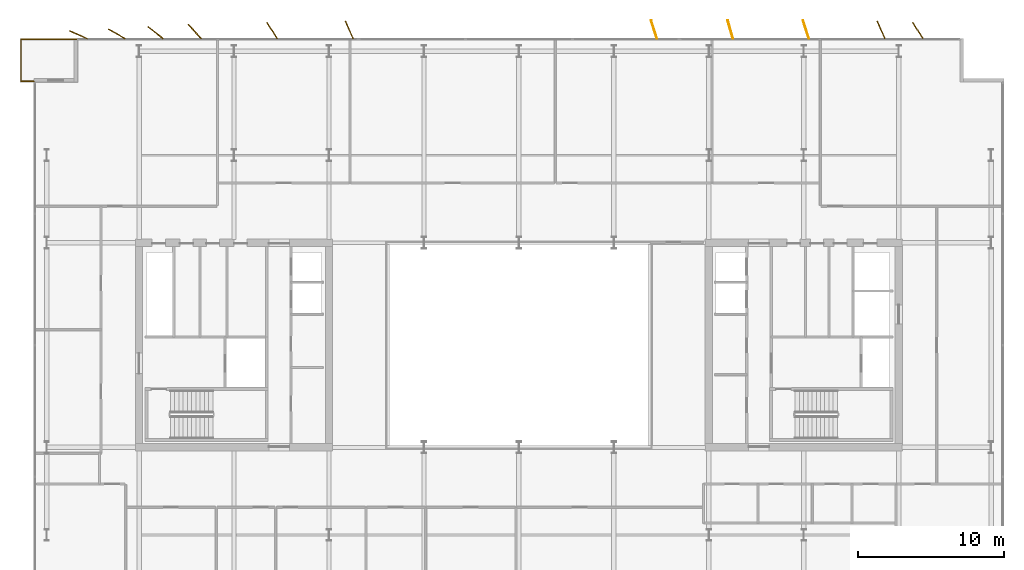
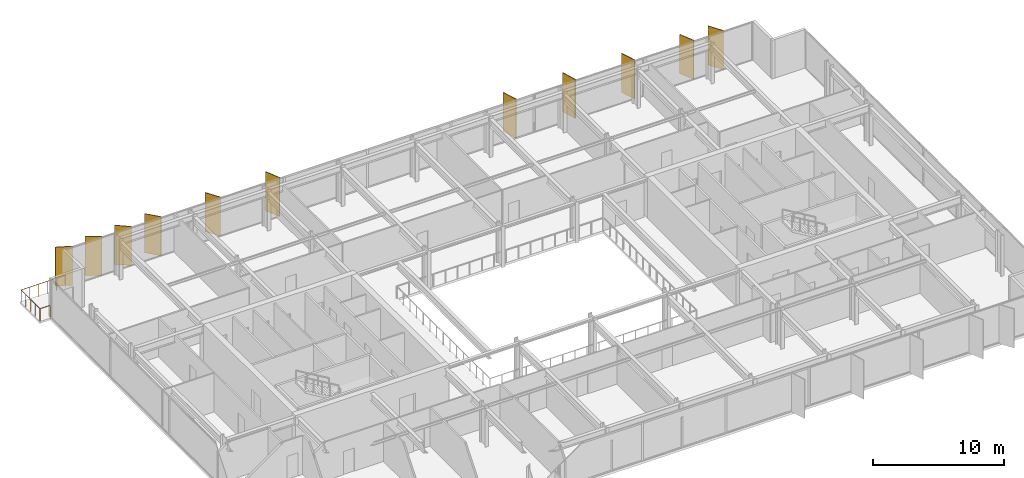
# One storey, part 23 of 23: 11 shading devices, 1 railing.
"""IFC4 building model written with IfcOpenShell, lengths in metres."""

from ifc_helpers import new_model, si_unit, direction, frame, origin, origin_2d, place, context, subcontext, project, spatial, rectangle, circle, extrude, material, layer, layer_set, type_object, element, save


model = new_model("IFC4")

# Units and contexts
model_context = context("Model", 3, precision=1e-05, world=origin(), true_north=direction((0.0, 1.0)))
body_context = subcontext(model_context, "Body", "Model", "MODEL_VIEW")
ifc_project = project(units=[si_unit("LENGTHUNIT", "METRE"), si_unit("AREAUNIT", "SQUARE_METRE"), si_unit("VOLUMEUNIT", "CUBIC_METRE"), si_unit("PLANEANGLEUNIT", "RADIAN"), si_unit("MASSUNIT", "GRAM", prefix="KILO")], contexts=[model_context])

# Site, building, storey
site_placement = place(None, origin())
site = spatial("IfcSite", under=ifc_project, at=site_placement, CompositionType="ELEMENT")
building_placement = place(site_placement, origin())
building = spatial("IfcBuilding", under=site, at=building_placement, Name="Putna Gate Headquarters", CompositionType="ELEMENT")
storey_placement = place(building_placement, frame((0.0, 0.0, 217.60009765625)))
storey = spatial("IfcBuildingStorey", under=building, at=storey_placement, Name="L54", CompositionType="ELEMENT", Elevation=217.60009765625)

# Railing
ifc_material_1 = material(Name="Anodised bronze steel and laminated glass guardrail", Category="steel")
railing_type = type_object("IfcRailingType", Name="RAIL-TERR-GUARD-1150", PredefinedType="GUARDRAIL", material=ifc_material_1)
railing_placement = place(storey_placement, frame((5.800048828125, 44.06005859375, 0.0)))
element("IfcRailing", 1, at=railing_placement, inside=storey, type_object=railing_type, Name="L54 Spiral Sky Terrace Guardrail NW", PredefinedType="GUARDRAIL", context=body_context, shape_type="SweptSolid", body=[
    extrude(circle(Radius=0.02392578125, at=origin_2d()), frame((0.0, 0.0, 1.1259765625), z_axis=(-1.0, 0.0, 0.0), x_axis=(0.0, -1.0, 0.0)), (0.0, 0.0, 1.0), 0.89013671875),
    extrude(circle(Radius=0.02392578125, at=origin_2d()), frame((-0.89013671875, 0.0, 1.1259765625), z_axis=(0.0, 1.0, 0.0), x_axis=(-1.0, 0.0, 0.0)), (0.0, 0.0, 1.0), 2.8798828125),
    extrude(circle(Radius=0.02392578125, at=origin_2d()), frame((-0.89013671875, 2.8798828125, 1.1259765625), z_axis=(1.0, 0.0, 0.0), x_axis=(0.0, 1.0, 0.0)), (0.0, 0.0, 1.0), 3.89013671875),
    extrude(circle(Radius=0.02099609375, at=origin_2d()), origin(), (0.0, 0.0, 1.0), 1.101806640625),
    extrude(circle(Radius=0.02099609375, at=origin_2d()), frame((-0.89013671875, 0.0, 0.0)), (0.0, 0.0, 1.0), 1.101806640625),
    extrude(circle(Radius=0.02099609375, at=origin_2d()), frame((-0.89013671875, 0.719970703125, 0.0)), (0.0, 0.0, 1.0), 1.101806640625),
    extrude(circle(Radius=0.02099609375, at=origin_2d()), frame((-0.89013671875, 1.43994140625, 0.0)), (0.0, 0.0, 1.0), 1.101806640625),
    extrude(circle(Radius=0.02099609375, at=origin_2d()), frame((-0.89013671875, 2.159912109375, 0.0)), (0.0, 0.0, 1.0), 1.101806640625),
    extrude(circle(Radius=0.02099609375, at=origin_2d()), frame((-0.89013671875, 2.8798828125, 0.0)), (0.0, 0.0, 1.0), 1.101806640625),
    extrude(circle(Radius=0.02099609375, at=origin_2d()), frame((-0.112060546875, 2.8798828125, 0.0)), (0.0, 0.0, 1.0), 1.101806640625),
    extrude(circle(Radius=0.02099609375, at=origin_2d()), frame((0.666015625, 2.8798828125, 0.0)), (0.0, 0.0, 1.0), 1.101806640625),
    extrude(circle(Radius=0.02099609375, at=origin_2d()), frame((1.44384765625, 2.8798828125, 0.0)), (0.0, 0.0, 1.0), 1.101806640625),
    extrude(circle(Radius=0.02099609375, at=origin_2d()), frame((2.221923828125, 2.8798828125, 0.0)), (0.0, 0.0, 1.0), 1.101806640625),
    extrude(circle(Radius=0.02099609375, at=origin_2d()), frame((3.0, 2.8798828125, 0.0)), (0.0, 0.0, 1.0), 1.101806640625),
])

# Shading devices
ifc_material_2 = material(Name="Anodised architectural bronze aluminium fin", Category="aluminium")
ifc_layer = layer(ifc_material_2, 0.06494140625)
ifc_layer_set = layer_set([ifc_layer], Name="Anodised architectural bronze aluminium fin")
shading_device_type = type_object("IfcShadingDeviceType", Name="SHADE-BRONZE-FIN-1320", PredefinedType="USERDEFINED", material=ifc_layer_set)
for number, where, z_axis, x_axis, name in (
    (2, (8.846923828125, 47.2431640625, -0.020263671875), (0.0, 0.0, 1.0), (-0.913687379856, 0.40641773078, 0.0), "L54 Bronze Vertical Shading Fin N1"),
    (3, (11.476318359375, 47.30126953125, -0.020263671875), (0.0, 0.0, 1.0), (-0.869322458298, 0.494245347472, 0.0), "L54 Bronze Vertical Shading Fin N2"),
    (4, (14.13037109375, 47.3818359375, -0.020263671875), (0.0, 0.0, 1.0), (-0.787473187632, 0.616348909921, 0.0), "L54 Bronze Vertical Shading Fin N3"),
    (5, (16.808349609375, 47.465576171875, -0.020263671875), (0.0, 0.0, 1.0), (-0.669130606359, 0.743144825477, 0.0), "L54 Bronze Vertical Shading Fin N4"),
    (6, (22.099853515625, 47.534423828125, -0.020263671875), (0.0, 0.0, 1.0), (-0.530659123936, 0.847585331506, 0.0), "L54 Bronze Vertical Shading Fin N5"),
    (7, (27.385498046875, 47.57958984375, -0.020263671875), (0.0, 0.0, 1.0), (-0.400668879095, 0.916222925562, 0.0), "L54 Bronze Vertical Shading Fin N6"),
    (8, (48.246337890625, 47.602783203125, -0.020263671875), (0.0, 0.0, 1.0), (-0.308684994204, 0.951164325631, 0.0), "L54 Bronze Vertical Shading Fin N7"),
    (9, (53.468017578125, 47.609375, -0.020263671875), (0.0, 0.0, 1.0), (-0.275637355817, 0.961261695938, 0.0), "L54 Bronze Vertical Shading Fin N8"),
    (10, (58.646240234375, 47.602783203125, -0.020263671875), (0.0, 0.0, 1.0), (-0.308684994204, 0.951164325631, 0.0), "L54 Bronze Vertical Shading Fin N9"),
    (11, (63.78564453125, 47.57958984375, -0.020263671875), (0.0, 0.0, 1.0), (-0.400668879095, 0.916222925562, 0.0), "L54 Bronze Vertical Shading Fin N10"),
    (12, (66.2998046875, 47.534423828125, -0.020263671875), (0.0, 0.0, 1.0), (-0.530659123936, 0.847585331506, 0.0), "L54 Bronze Vertical Shading Fin N11"),
):
    element("IfcShadingDevice", number, at=place(storey_placement, frame(where, z_axis=z_axis, x_axis=x_axis)), inside=storey, type_object=shading_device_type, Name=name, ObjectType="FIN", PredefinedType="USERDEFINED", context=body_context, shape_type="SweptSolid", body=[
        extrude(rectangle(XDim=1.320068359375, YDim=0.06494140625, at=origin_2d()), origin(), (0.0, 0.0, 1.0), 3.6201171875),
    ])

save(model, "model.ifc")
